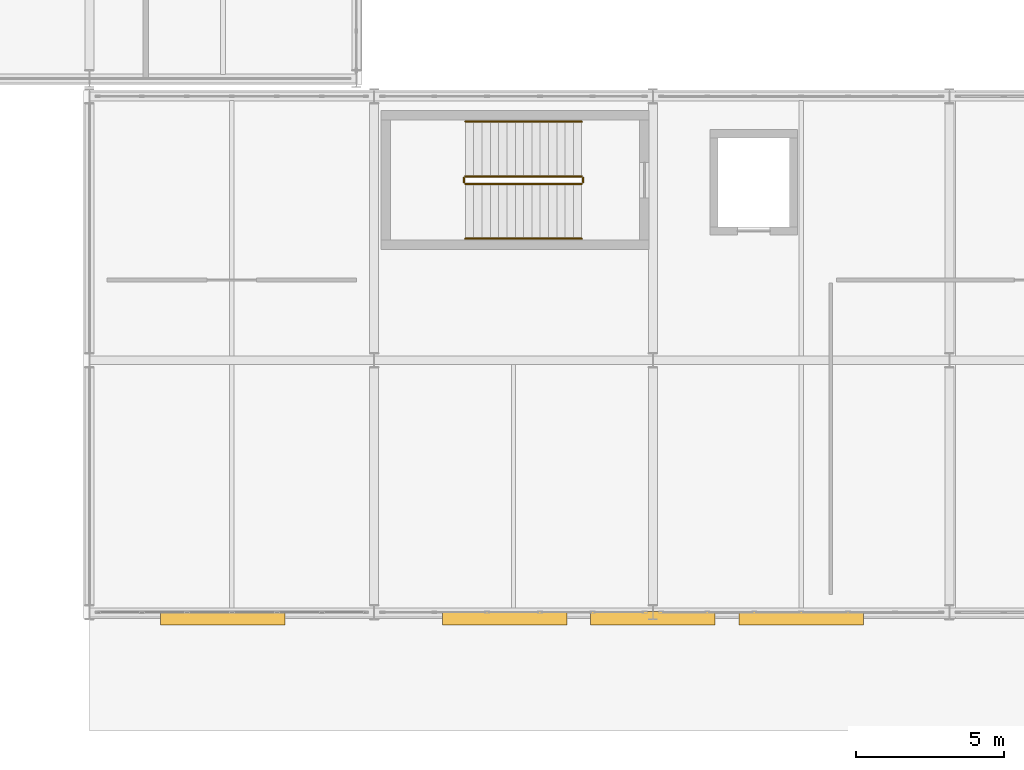
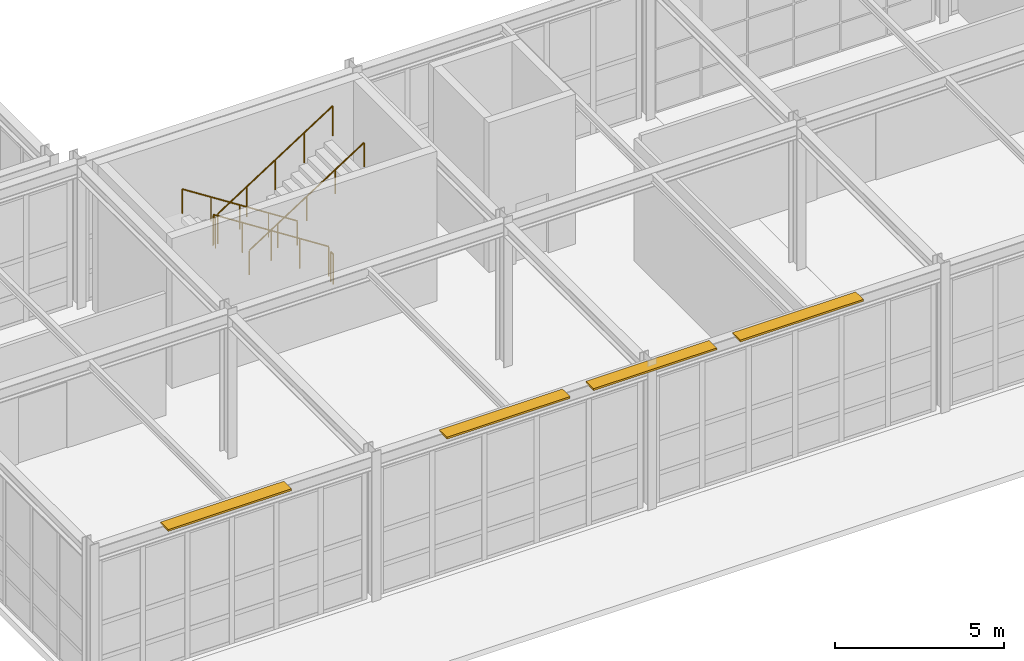
# One storey, part 204 of 210: 6 railings, 4 shading devices.
"""IFC4 building model written with IfcOpenShell, lengths in metres."""

from ifc_helpers import new_model, si_unit, direction, frame, origin, origin_2d, place, context, subcontext, project, spatial, rectangle, circle, extrude, material, type_object, element, save


model = new_model("IFC4")

# Units and contexts
model_context = context("Model", 3, precision=1e-05, world=origin(), true_north=direction((0.0, 1.0)))
body_context = subcontext(model_context, "Body", "Model", "MODEL_VIEW")
ifc_project = project(units=[si_unit("LENGTHUNIT", "METRE"), si_unit("AREAUNIT", "SQUARE_METRE"), si_unit("VOLUMEUNIT", "CUBIC_METRE"), si_unit("PLANEANGLEUNIT", "RADIAN"), si_unit("MASSUNIT", "GRAM", prefix="KILO")], contexts=[model_context])

# Site, building, storey
site_placement = place(None, origin())
site = spatial("IfcSite", under=ifc_project, at=site_placement, CompositionType="ELEMENT")
building_placement = place(site_placement, origin())
building = spatial("IfcBuilding", under=site, at=building_placement, Name="Kaldris Quays Convention Centre", CompositionType="ELEMENT")
storey_placement = place(building_placement, frame((0.0, 0.0, 6.0)))
storey = spatial("IfcBuildingStorey", under=building, at=storey_placement, Name="L01", CompositionType="ELEMENT", Elevation=6.0)

# Railings
ifc_material_1 = material(Name="Steel S355J2", Category="steel")
railing_type_1 = type_object("IfcRailingType", Name="INTERIOR GUARDRAIL GR01", PredefinedType="GUARDRAIL", material=ifc_material_1)
railing_1_placement = place(storey_placement, frame((171.60009765625, 34.699951171875, 0.179931640625)))
element("IfcRailing", 1, at=railing_1_placement, inside=storey, type_object=railing_type_1, Name="L01 ST15 Stair Guardrail 1", PredefinedType="GUARDRAIL", context=body_context, shape_type="SweptSolid", body=[
    extrude(circle(Radius=0.02392578125, at=origin_2d()), frame((0.0, 0.0, 1.076171875), z_axis=(-0.841186985886, 0.0, 0.540744352514), x_axis=(0.0, -1.0, 0.0)), (0.0, 0.0, 1.0), 4.660400390625),
    extrude(circle(Radius=0.02099609375, at=origin_2d()), origin(), (0.0, 0.0, 1.0), 1.052001953125),
    extrude(circle(Radius=0.02099609375, at=origin_2d()), frame((-0.97998046875, 0.0, 0.6298828125)), (0.0, 0.0, 1.0), 1.052001953125),
    extrude(circle(Radius=0.02099609375, at=origin_2d()), frame((-1.9599609375, 0.0, 1.260009765625)), (0.0, 0.0, 1.0), 1.052001953125),
    extrude(circle(Radius=0.02099609375, at=origin_2d()), frame((-2.940185546875, 0.0, 1.89013671875)), (0.0, 0.0, 1.0), 1.052001953125),
    extrude(circle(Radius=0.02099609375, at=origin_2d()), frame((-3.920166015625, 0.0, 2.52001953125)), (0.0, 0.0, 1.0), 1.052001953125),
])
railing_2_placement = place(storey_placement, frame((167.6298828125, 34.64990234375, 2.699951171875)))
element("IfcRailing", 2, at=railing_2_placement, inside=storey, type_object=railing_type_1, Name="L01 ST15 Stair Guardrail 2", PredefinedType="GUARDRAIL", context=body_context, shape_type="SweptSolid", body=[
    extrude(circle(Radius=0.02392578125, at=origin_2d()), frame((0.0, 0.0, 1.076171875), z_axis=(0.0, -1.0, 0.0), x_axis=(1.0, 0.0, 0.0)), (0.0, 0.0, 1.0), 0.14990234375),
    extrude(circle(Radius=0.02099609375, at=origin_2d()), origin(), (0.0, 0.0, 1.0), 1.052001953125),
    extrude(circle(Radius=0.02099609375, at=origin_2d()), frame((0.0, -0.14990234375, 0.0)), (0.0, 0.0, 1.0), 1.052001953125),
])
railing_3_placement = place(storey_placement, frame((167.679931640625, 34.449951171875, 2.8798828125)))
element("IfcRailing", 3, at=railing_3_placement, inside=storey, type_object=railing_type_1, Name="L01 ST15 Stair Guardrail 3", PredefinedType="GUARDRAIL", context=body_context, shape_type="SweptSolid", body=[
    extrude(circle(Radius=0.02392578125, at=origin_2d()), frame((0.0, 0.0, 1.076171875), z_axis=(0.841186985886, 0.0, 0.540744352514), x_axis=(0.0, 1.0, 0.0)), (0.0, 0.0, 1.0), 4.660400390625),
    extrude(circle(Radius=0.02099609375, at=origin_2d()), origin(), (0.0, 0.0, 1.0), 1.052001953125),
    extrude(circle(Radius=0.02099609375, at=origin_2d()), frame((0.97998046875, 0.0, 0.6298828125)), (0.0, 0.0, 1.0), 1.052001953125),
    extrude(circle(Radius=0.02099609375, at=origin_2d()), frame((1.9599609375, 0.0, 1.260009765625)), (0.0, 0.0, 1.0), 1.052001953125),
    extrude(circle(Radius=0.02099609375, at=origin_2d()), frame((2.940185546875, 0.0, 1.89013671875)), (0.0, 0.0, 1.0), 1.052001953125),
    extrude(circle(Radius=0.02099609375, at=origin_2d()), frame((3.920166015625, 0.0, 2.52001953125)), (0.0, 0.0, 1.0), 1.052001953125),
])
railing_4_placement = place(storey_placement, frame((171.64990234375, 34.64990234375, 0.0)))
element("IfcRailing", 4, at=railing_4_placement, inside=storey, type_object=railing_type_1, Name="L01 ST15 Stair Guardrail 4", PredefinedType="GUARDRAIL", context=body_context, shape_type="SweptSolid", body=[
    extrude(circle(Radius=0.02392578125, at=origin_2d()), frame((0.0, 0.0, 1.076171875), z_axis=(0.0, -1.0, 0.0), x_axis=(1.0, 0.0, 0.0)), (0.0, 0.0, 1.0), 0.14990234375),
    extrude(circle(Radius=0.02099609375, at=origin_2d()), origin(), (0.0, 0.0, 1.0), 1.052001953125),
    extrude(circle(Radius=0.02099609375, at=origin_2d()), frame((0.0, -0.14990234375, 0.0)), (0.0, 0.0, 1.0), 1.052001953125),
])

# Shading devices
ifc_material_2 = material(Name="Anodized aluminium AW-6060", Category="aluminium")
shading_device_type = type_object("IfcShadingDeviceType", Name="SOLAR SHADING LOUVRE SH02", PredefinedType="USERDEFINED", material=ifc_material_2)
for number, where, z_axis, x_axis, name in (
    (5, (159.5, 19.800048828125, 5.125), (0.0, 0.0, 1.0), (1.0, 0.0, 0.0), "L01 Riverfront Solar Louvre 1"),
    (6, (169.0, 19.800048828125, 5.125), (0.0, 0.0, 1.0), (1.0, 0.0, 0.0), "L01 Riverfront Solar Louvre 2"),
    (7, (179.0, 19.800048828125, 5.125), (0.0, 0.0, 1.0), (1.0, 0.0, 0.0), "L01 Riverfront Solar Louvre 3"),
    (8, (174.0, 19.800048828125, 5.125), (0.0, 0.0, 1.0), (1.0, 0.0, 0.0), "L01 Riverfront Solar Louvre 6"),
):
    element("IfcShadingDevice", number, at=place(storey_placement, frame(where, z_axis=z_axis, x_axis=x_axis)), inside=storey, type_object=shading_device_type, Name=name, ObjectType="LOUVRE", PredefinedType="USERDEFINED", context=body_context, shape_type="SweptSolid", body=[
        extrude(rectangle(XDim=4.199951171875, YDim=0.449951171875, at=origin_2d()), origin(), (0.0, 0.0, 1.0), 0.070068359375),
    ])

# Railings
ifc_material_3 = material(Name="Stainless steel 1.4301", Category="steel")
railing_type_2 = type_object("IfcRailingType", Name="STAIR HANDRAIL HR01", PredefinedType="HANDRAIL", material=ifc_material_3)
railing_5_placement = place(storey_placement, frame((171.60009765625, 36.550048828125, 0.179931640625)))
element("IfcRailing", 9, at=railing_5_placement, inside=storey, type_object=railing_type_2, Name="L01 ST15 Flight Handrail 1", PredefinedType="HANDRAIL", context=body_context, shape_type="SweptSolid", body=[
    extrude(circle(Radius=0.02392578125, at=origin_2d()), frame((0.0, 0.0, 0.8759765625), z_axis=(-0.841186985886, 0.0, 0.540744352514), x_axis=(0.0, -1.0, 0.0)), (0.0, 0.0, 1.0), 4.660400390625),
    extrude(circle(Radius=0.02099609375, at=origin_2d()), origin(), (0.0, 0.0, 1.0), 0.851806640625),
    extrude(circle(Radius=0.02099609375, at=origin_2d()), frame((-0.97998046875, 0.0, 0.6298828125)), (0.0, 0.0, 1.0), 0.851806640625),
    extrude(circle(Radius=0.02099609375, at=origin_2d()), frame((-1.9599609375, 0.0, 1.260009765625)), (0.0, 0.0, 1.0), 0.851806640625),
    extrude(circle(Radius=0.02099609375, at=origin_2d()), frame((-2.940185546875, 0.0, 1.89013671875)), (0.0, 0.0, 1.0), 0.851806640625),
    extrude(circle(Radius=0.02099609375, at=origin_2d()), frame((-3.920166015625, 0.0, 2.52001953125)), (0.0, 0.0, 1.0), 0.851806640625),
])
railing_6_placement = place(storey_placement, frame((167.679931640625, 32.60009765625, 2.8798828125)))
element("IfcRailing", 10, at=railing_6_placement, inside=storey, type_object=railing_type_2, Name="L01 ST15 Flight Handrail 2", PredefinedType="HANDRAIL", context=body_context, shape_type="SweptSolid", body=[
    extrude(circle(Radius=0.02392578125, at=origin_2d()), frame((0.0, 0.0, 0.8759765625), z_axis=(0.841186985886, 0.0, 0.540744352514), x_axis=(0.0, 1.0, 0.0)), (0.0, 0.0, 1.0), 4.660400390625),
    extrude(circle(Radius=0.02099609375, at=origin_2d()), origin(), (0.0, 0.0, 1.0), 0.851806640625),
    extrude(circle(Radius=0.02099609375, at=origin_2d()), frame((0.97998046875, 0.0, 0.6298828125)), (0.0, 0.0, 1.0), 0.851806640625),
    extrude(circle(Radius=0.02099609375, at=origin_2d()), frame((1.9599609375, 0.0, 1.260009765625)), (0.0, 0.0, 1.0), 0.851806640625),
    extrude(circle(Radius=0.02099609375, at=origin_2d()), frame((2.940185546875, 0.0, 1.89013671875)), (0.0, 0.0, 1.0), 0.851806640625),
    extrude(circle(Radius=0.02099609375, at=origin_2d()), frame((3.920166015625, 0.0, 2.52001953125)), (0.0, 0.0, 1.0), 0.851806640625),
])

save(model, "model.ifc")
